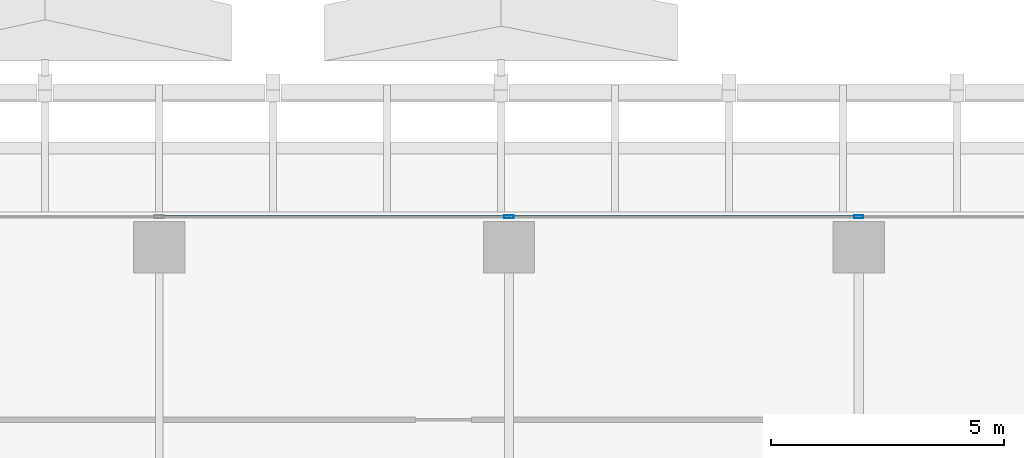
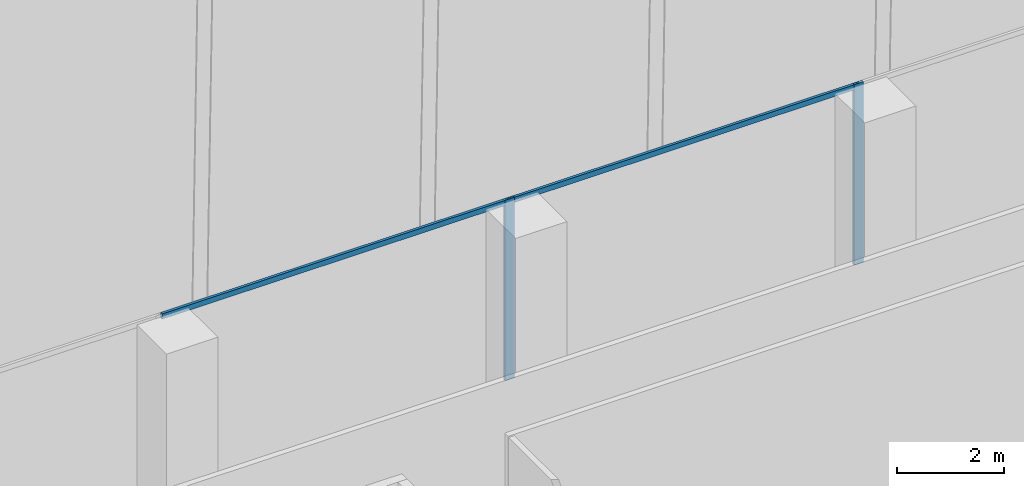
# One storey, part 18 of 37: 4 members, 1 element without a shape of its own.
"""IFC4 building model written with IfcOpenShell, lengths in metres."""

import ifcopenshell
import ifcopenshell.guid

model = None  # the IFC model being written
_history = None  # IfcOwnerHistory: only IFC2X3 demands one
_inside = {}  # id of a spatial element -> (the spatial element, [elements in it])
_under = {}  # id of a project, library or spatial element -> (it, [spatial elements below it])
_declared = {}  # id of a project -> (the project, [libraries it declares])
_typed = {}  # id of a type object -> (the type object, [elements of that type])
_made_of = {}  # id of a material, layer set ... -> (it, [elements and type objects made of it])


def new_model(schema):
    """Start an empty IFC model of exactly this schema.

    Asked for "IFC4X3", IfcOpenShell would pick the latest addendum, in which some entities
    have other attributes; the version numbers below select the first issue.
    IFC2X3 requires an IfcOwnerHistory on every rooted entity: one is made here for all.
    """
    global model, _history
    if schema == "IFC4X3":
        model = ifcopenshell.file(schema_version=(4, 3, 0, 0))
    else:
        model = ifcopenshell.file(schema=schema)
    _inside.clear()
    _under.clear()
    _declared.clear()
    _typed.clear()
    _made_of.clear()
    _history = None
    if model.schema == "IFC2X3":
        org = make("IfcOrganization", Name="unknown")
        user = make(
            "IfcPersonAndOrganization",
            ThePerson=make("IfcPerson", FamilyName="unknown"),
            TheOrganization=org,
        )
        app = make(
            "IfcApplication",
            ApplicationDeveloper=org,
            Version="unknown",
            ApplicationFullName="unknown",
            ApplicationIdentifier="unknown",
        )
        _history = make(
            "IfcOwnerHistory",
            OwningUser=user,
            OwningApplication=app,
            ChangeAction="ADDED",
            CreationDate=0,
        )
    return model


def make(cls, **values):
    """One entity of the class cls with the attributes given. An attribute that is None is left unset."""
    return model.create_entity(
        cls, **{name: value for name, value in values.items() if value is not None}
    )


def rooted(cls, **values):
    """An entity with a GlobalId (a new one), such as an element, a storey or a relation."""
    return make(cls, GlobalId=ifcopenshell.guid.new(), OwnerHistory=_history, **values)


def si_unit(unit_type, name, prefix=None):
    """IfcSIUnit, for example si_unit("LENGTHUNIT", "METRE", prefix="MILLI")."""
    return make("IfcSIUnit", UnitType=unit_type, Prefix=prefix, Name=name)


def assignment(units):
    """IfcUnitAssignment: the units of a project."""
    return None if units is None else make("IfcUnitAssignment", Units=units)


def point(xyz):
    """IfcCartesianPoint."""
    return None if xyz is None else make("IfcCartesianPoint", Coordinates=xyz)


def direction(xyz):
    """IfcDirection."""
    return None if xyz is None else make("IfcDirection", DirectionRatios=xyz)


def frame(location, z_axis=None, x_axis=None):
    """IfcAxis2Placement3D, a coordinate frame: its origin and axes. An axis left out is left unset."""
    return make(
        "IfcAxis2Placement3D",
        Location=point(location),
        Axis=direction(z_axis),
        RefDirection=direction(x_axis),
    )


def frame_2d(location, x_axis=None):
    """IfcAxis2Placement2D, a coordinate frame in the plane: its origin and x axis."""
    return make(
        "IfcAxis2Placement2D", Location=point(location), RefDirection=direction(x_axis)
    )


def origin():
    """The frame at (0, 0, 0) with its axes left unset."""
    return frame((0.0, 0.0, 0.0))


def origin_2d():
    """The frame at (0, 0) in the plane with its x axis left unset."""
    return frame_2d((0.0, 0.0))


def place(relative_to, where):
    """IfcLocalPlacement: puts the frame where relative to a parent placement (None: the world)."""
    return make(
        "IfcLocalPlacement", PlacementRelTo=relative_to, RelativePlacement=where
    )


def context(
    kind, dimensions, precision=None, world=None, true_north=None, identifier=None
):
    """IfcGeometricRepresentationContext, for example the 3D "Model" context."""
    return make(
        "IfcGeometricRepresentationContext",
        ContextIdentifier=identifier,
        ContextType=kind,
        CoordinateSpaceDimension=dimensions,
        Precision=precision,
        WorldCoordinateSystem=world,
        TrueNorth=true_north,
    )


def subcontext(parent, identifier, kind, view, scale=None):
    """IfcGeometricRepresentationSubContext, for example "Body" below "Model"."""
    return make(
        "IfcGeometricRepresentationSubContext",
        ContextIdentifier=identifier,
        ContextType=kind,
        ParentContext=parent,
        TargetScale=scale,
        TargetView=view,
    )


def project(units=None, contexts=None):
    """IfcProject with its units and contexts."""
    return rooted(
        "IfcProject",
        Name="project",
        RepresentationContexts=contexts,
        UnitsInContext=assignment(units),
    )


def spatial(cls, under=None, at=None, **own):
    """A site, building, storey or space (cls), placed at a placement, below another one or the project."""
    s = rooted(cls, ObjectPlacement=at, **own)
    if under is not None:
        _under.setdefault(under.id(), (under, []))[1].append(s)
    return s


def profile(cls, at=None, kind="AREA", **sizes):
    """A parametric profile (cls). Its sizes go by their IFC names, for example OverallWidth=200.0."""
    return make(cls, ProfileType=kind, Position=at, **sizes)


def hollow_rectangle(**sizes):
    """IfcRectangleHollowProfileDef."""
    return profile("IfcRectangleHollowProfileDef", **sizes)


def extrude(swept, where, along, depth):
    """IfcExtrudedAreaSolid: the profile swept, set in the frame where, extruded along a direction by depth."""
    return make(
        "IfcExtrudedAreaSolid",
        SweptArea=swept,
        Position=where,
        ExtrudedDirection=direction(along),
        Depth=depth,
    )


def shape(context_of_items, identifier, shape_type, items):
    """IfcShapeRepresentation: the items that make up one representation, for example the "Body"."""
    return make(
        "IfcShapeRepresentation",
        ContextOfItems=context_of_items,
        RepresentationIdentifier=identifier,
        RepresentationType=shape_type,
        Items=items,
    )


def source(mapping_origin, context_of_items, identifier, shape_type, items):
    """IfcRepresentationMap: a shape defined once, which mapped items show again and again."""
    return make(
        "IfcRepresentationMap",
        MappingOrigin=mapping_origin,
        MappedRepresentation=shape(context_of_items, identifier, shape_type, items),
    )


def transform(
    local_origin,
    x_axis=None,
    y_axis=None,
    z_axis=None,
    scale=None,
    scale2=None,
    scale3=None,
    uniform=True,
):
    """IfcCartesianTransformationOperator3D, or its non-uniform kind. x_axis, y_axis, z_axis: its Axis1, 2, 3."""
    if uniform:
        return make(
            "IfcCartesianTransformationOperator3D",
            Axis1=direction(x_axis),
            Axis2=direction(y_axis),
            LocalOrigin=point(local_origin),
            Scale=scale,
            Axis3=direction(z_axis),
        )
    return make(
        "IfcCartesianTransformationOperator3DnonUniform",
        Axis1=direction(x_axis),
        Axis2=direction(y_axis),
        LocalOrigin=point(local_origin),
        Scale=scale,
        Axis3=direction(z_axis),
        Scale2=scale2,
        Scale3=scale3,
    )


def mapped(mapping_source, mapping_target):
    """IfcMappedItem: shows the shape of a source again, moved by a transform."""
    return make(
        "IfcMappedItem", MappingSource=mapping_source, MappingTarget=mapping_target
    )


def material(Name=None, Category=None):
    """IfcMaterial."""
    return make("IfcMaterial", Name=Name, Category=Category)


def material_profile(
    of_material, cross_section, Name=None, Category=None, Priority=None
):
    """IfcMaterialProfile: a cross section and its material."""
    return make(
        "IfcMaterialProfile",
        Name=Name,
        Material=of_material,
        Profile=cross_section,
        Priority=Priority,
        Category=Category,
    )


def profile_set(profiles, Name=None, composite=None):
    """IfcMaterialProfileSet."""
    return make(
        "IfcMaterialProfileSet",
        Name=Name,
        MaterialProfiles=profiles,
        CompositeProfile=composite,
    )


def made_of(thing, what):
    """Note that an element or type object is made of a material, layer set ...; save() writes the relation."""
    if what is not None:
        _made_of.setdefault(what.id(), (what, []))[1].append(thing)
    return thing


def type_object(cls, material=None, **own):
    """A type object (cls), such as IfcWallType, which elements share."""
    return made_of(rooted(cls, **own), material)


def element(
    cls,
    number,
    at=None,
    inside=None,
    cuts=None,
    type_object=None,
    material=None,
    context=None,
    identifier="Body",
    shape_type=None,
    held_by="IfcProductDefinitionShape",
    body=None,
    shapes=None,
    **own,
):
    """One element of the class cls, such as IfcWall. Its Tag is "e" and its number.

    at: its placement. inside: the storey or other place that contains it. cuts: it is an
    opening in that element (IfcRelVoidsElement). A single representation is given by context,
    identifier, shape_type and body (its items); several are given by shapes. held_by: the class
    of the entity that holds the representations. save() writes the other relations.
    """
    e = rooted(cls, Tag="e%d" % number, ObjectPlacement=at, **own)
    if body is not None:
        shapes = [shape(context, identifier, shape_type, body)]
    if shapes is not None:
        e.Representation = make(held_by, Representations=shapes)
    if inside is not None:
        _inside.setdefault(inside.id(), (inside, []))[1].append(e)
    if cuts is not None:
        rooted(
            "IfcRelVoidsElement", RelatingBuildingElement=cuts, RelatedOpeningElement=e
        )
    if type_object is not None:
        _typed.setdefault(type_object.id(), (type_object, []))[1].append(e)
    return made_of(e, material)


def aggregate(whole, parts):
    """IfcRelAggregates: a whole, such as a stair, and the parts it consists of."""
    return rooted("IfcRelAggregates", RelatingObject=whole, RelatedObjects=parts)


def save(model, path):
    """Write the relations noted so far, then the file.

    IfcRelAggregates (storeys below a building ...), IfcRelContainedInSpatialStructure (elements
    in a storey), IfcRelDefinesByType, IfcRelAssociatesMaterial and IfcRelDeclares: one each for
    every whole, place, type object, material and project.
    """
    for whole, parts in _under.values():
        aggregate(whole, parts)
    for where, things in _inside.values():
        rooted(
            "IfcRelContainedInSpatialStructure",
            RelatedElements=things,
            RelatingStructure=where,
        )
    for kind, things in _typed.values():
        rooted("IfcRelDefinesByType", RelatedObjects=things, RelatingType=kind)
    for what, things in _made_of.values():
        rooted("IfcRelAssociatesMaterial", RelatedObjects=things, RelatingMaterial=what)
    for by, libraries in _declared.values():
        rooted("IfcRelDeclares", RelatingContext=by, RelatedDefinitions=libraries)
    model.write(path)


model = new_model("IFC4")

# Units and contexts
model_context = context("Model", 3, precision=1e-05, world=origin(), true_north=direction((0.0, 1.0)))
body_context = subcontext(model_context, "Body", "Model", "MODEL_VIEW")
ifc_project = project(units=[si_unit("LENGTHUNIT", "METRE"), si_unit("AREAUNIT", "SQUARE_METRE"), si_unit("VOLUMEUNIT", "CUBIC_METRE"), si_unit("PLANEANGLEUNIT", "RADIAN"), si_unit("MASSUNIT", "GRAM", prefix="KILO")], contexts=[model_context])

# Site, building, storey
site_placement = place(None, origin())
site = spatial("IfcSite", under=ifc_project, at=site_placement, CompositionType="ELEMENT")
building_placement = place(site_placement, origin())
building = spatial("IfcBuilding", under=site, at=building_placement, Name="Khomas Fold Tower", CompositionType="ELEMENT")
storey_placement = place(building_placement, frame((0.0, 0.0, 101.5)))
storey = spatial("IfcBuildingStorey", under=building, at=storey_placement, Name="L21", CompositionType="ELEMENT", Elevation=101.5)

# Curtain wall, members
ifc_material_1 = material(Name="Aluminium framed double glazing", Category="aluminium")
curtain_wall_type = type_object("IfcCurtainWallType", Name="SK-Unitised clear-glass wall, growing floors CW1", PredefinedType="NOTDEFINED", material=ifc_material_1)
curtain_wall_placement = place(storey_placement, origin())
curtain_wall = element("IfcCurtainWall", 1, at=curtain_wall_placement, inside=storey, type_object=curtain_wall_type, Name="CW1 run L21 06-0", PredefinedType="NOTDEFINED")
ifc_material_2 = material(Name="Aluminium", Category="aluminium")
ifc_material_profile_1 = material_profile(ifc_material_2, hollow_rectangle(XDim=0.06005859375, YDim=0.1201171875, WallThickness=0.00390625, at=origin_2d()), Name="SK-Unitised clear-glass wall, growing floors transom CW1-T")
ifc_profile_set_1 = profile_set([ifc_material_profile_1], Name="Aluminium")
member_type_1 = type_object("IfcMemberType", Name="SK-Unitised clear-glass wall, growing floors transom CW1-T", PredefinedType="USERDEFINED", material=ifc_profile_set_1)
shared_shape_1 = source(origin(), body_context, "Body", "SweptSolid", [
    extrude(hollow_rectangle(XDim=0.06005859375, YDim=0.1201171875, WallThickness=0.00390625, at=origin_2d()), origin(), (0.0, 0.0, 1.0), 7.43994140625),
])
member_1_placement = place(storey_placement, frame((41.969970703125, 52.39990234375, 4.0400390625), z_axis=(-1.0, 0.0, 0.0), x_axis=(0.0, -1.0, 0.0)))
member_1 = element("IfcMember", 2, at=member_1_placement, type_object=member_type_1, Name="CW1 transom 3", ObjectType="TRANSOM", PredefinedType="USERDEFINED", context=body_context, shape_type="MappedRepresentation", body=[
    mapped(shared_shape_1, transform((0.0, 0.0, 0.0))),
])
member_2_placement = place(storey_placement, frame((34.469970703125, 52.39990234375, 4.0400390625), z_axis=(-1.0, 0.0, 0.0), x_axis=(0.0, -1.0, 0.0)))
member_2 = element("IfcMember", 3, at=member_2_placement, type_object=member_type_1, Name="CW1 transom 4", ObjectType="TRANSOM", PredefinedType="USERDEFINED", context=body_context, shape_type="MappedRepresentation", body=[
    mapped(shared_shape_1, transform((0.0, 0.0, 0.0))),
])
ifc_material_3 = material(Name="Aluminium", Category="aluminium")
ifc_material_profile_2 = material_profile(ifc_material_3, hollow_rectangle(XDim=0.06005859375, YDim=0.199951171875, WallThickness=0.00390625, at=origin_2d()), Name="SK-Unitised clear-glass wall, growing floors mullion CW1-M")
ifc_profile_set_2 = profile_set([ifc_material_profile_2], Name="Aluminium")
member_type_2 = type_object("IfcMemberType", Name="SK-Unitised clear-glass wall, growing floors mullion CW1-M", PredefinedType="MULLION", material=ifc_profile_set_2)
shared_shape_2 = source(origin(), body_context, "Body", "SweptSolid", [
    extrude(hollow_rectangle(XDim=0.06005859375, YDim=0.199951171875, WallThickness=0.00390625, at=origin_2d()), origin(), (0.0, 0.0, 1.0), 4.10009765625),
])
member_3_placement = place(storey_placement, frame((42.0, 52.39990234375, 0.0), z_axis=(0.0, 0.0, 1.0), x_axis=(0.0, -1.0, 0.0)))
member_3 = element("IfcMember", 4, at=member_3_placement, type_object=member_type_2, Name="CW1 mullion 3", PredefinedType="MULLION", context=body_context, shape_type="MappedRepresentation", body=[
    mapped(shared_shape_2, transform((0.0, 0.0, 0.0))),
])
member_4_placement = place(storey_placement, frame((34.5, 52.39990234375, 0.0), z_axis=(0.0, 0.0, 1.0), x_axis=(0.0, -1.0, 0.0)))
member_4 = element("IfcMember", 5, at=member_4_placement, type_object=member_type_2, Name="CW1 mullion 4", PredefinedType="MULLION", context=body_context, shape_type="MappedRepresentation", body=[
    mapped(shared_shape_2, transform((0.0, 0.0, 0.0))),
])
aggregate(curtain_wall, [member_3, member_4, member_1, member_2])

save(model, "model.ifc")
